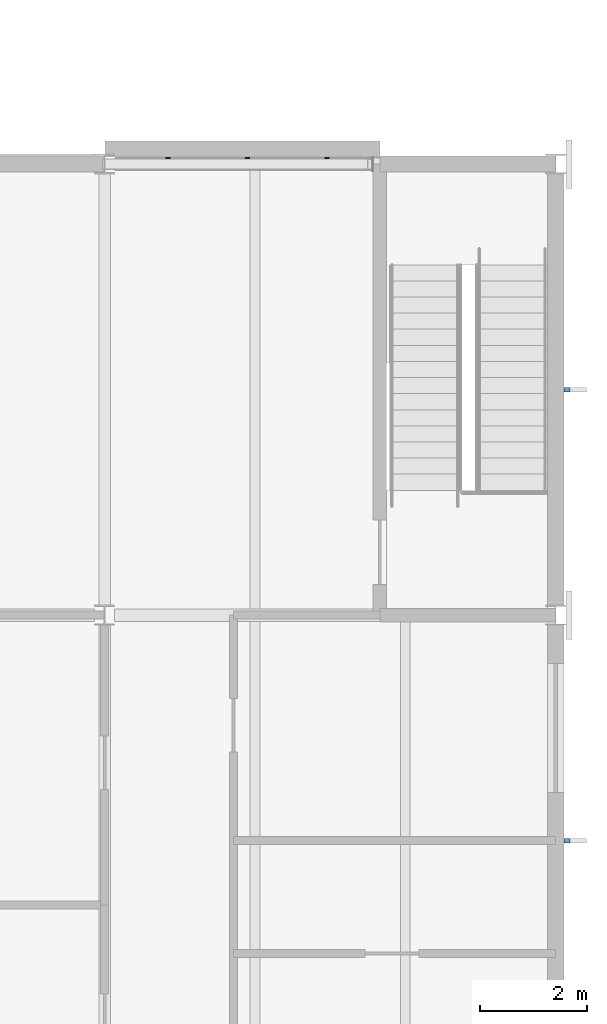
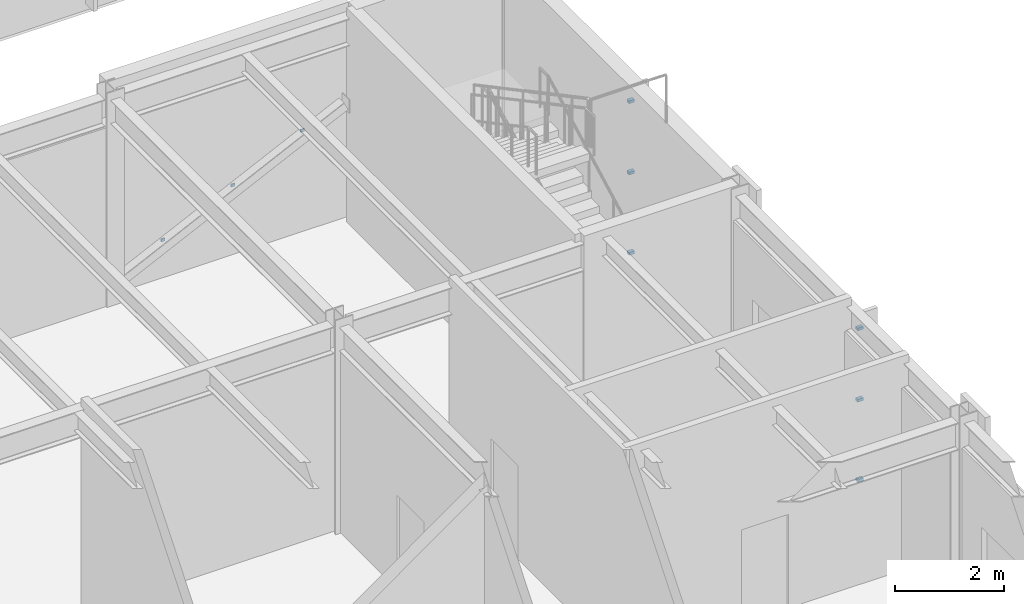
# One storey, part 103 of 127: 9 discrete accessories.
"""IFC4 building model written with IfcOpenShell, lengths in metres."""

from ifc_helpers import new_model, si_unit, direction, frame, origin, origin_2d, place, context, subcontext, project, spatial, rectangle, extrude, material, type_object, element, save


model = new_model("IFC4")

# Units and contexts
model_context = context("Model", 3, precision=1e-05, world=origin(), true_north=direction((0.0, 1.0)))
body_context = subcontext(model_context, "Body", "Model", "MODEL_VIEW")
ifc_project = project(units=[si_unit("LENGTHUNIT", "METRE"), si_unit("AREAUNIT", "SQUARE_METRE"), si_unit("VOLUMEUNIT", "CUBIC_METRE"), si_unit("PLANEANGLEUNIT", "RADIAN"), si_unit("MASSUNIT", "GRAM", prefix="KILO")], contexts=[model_context])

# Site, building, storey
site_placement = place(None, origin())
site = spatial("IfcSite", under=ifc_project, at=site_placement, CompositionType="ELEMENT")
building_placement = place(site_placement, origin())
building = spatial("IfcBuilding", under=site, at=building_placement, Name="Ljudholm Concert House", CompositionType="ELEMENT")
storey_placement = place(building_placement, frame((0.0, 0.0, 5.39990234375)))
storey = spatial("IfcBuildingStorey", under=building, at=storey_placement, Name="L01", CompositionType="ELEMENT", Elevation=5.39990234375)

# Discrete accessories
ifc_material_1 = material(Name="Stainless steel bracket", Category="steel")
discrete_accessory_type_1 = type_object("IfcDiscreteAccessoryType", Name="BRACKET 120", PredefinedType="BRACKET", material=ifc_material_1)
for number, where, z_axis, x_axis, name in (
    (1, (121.81005859375, 83.800048828125, 0.570068359375), (0.0, 0.0, 1.0), (1.0, 0.0, 0.0), "Fin bracket"),
    (2, (121.81005859375, 83.800048828125, 2.3701171875), (0.0, 0.0, 1.0), (1.0, 0.0, 0.0), "Fin bracket"),
    (3, (121.81005859375, 83.800048828125, 3.969970703125), (0.0, 0.0, 1.0), (1.0, 0.0, 0.0), "Fin bracket"),
    (4, (121.81005859375, 92.199951171875, 0.570068359375), (0.0, 0.0, 1.0), (1.0, 0.0, 0.0), "Fin bracket"),
    (5, (121.81005859375, 92.199951171875, 2.3701171875), (0.0, 0.0, 1.0), (1.0, 0.0, 0.0), "Fin bracket"),
    (6, (121.81005859375, 92.199951171875, 3.969970703125), (0.0, 0.0, 1.0), (1.0, 0.0, 0.0), "Fin bracket"),
):
    element("IfcDiscreteAccessory", number, at=place(storey_placement, frame(where, z_axis=z_axis, x_axis=x_axis)), inside=storey, type_object=discrete_accessory_type_1, Name=name, PredefinedType="BRACKET", context=body_context, shape_type="SweptSolid", body=[
        extrude(rectangle(XDim=0.1201171875, YDim=0.080078125, at=origin_2d()), origin(), (0.0, 0.0, 1.0), 0.06005859375),
    ])
ifc_material_2 = material(Name="Stainless steel bracket", Category="steel")
discrete_accessory_type_2 = type_object("IfcDiscreteAccessoryType", Name="PANEL BRACKET EXTERNAL", PredefinedType="BRACKET", material=ifc_material_2)
for number, where, z_axis, x_axis, name in (
    (7, (114.376953125, 96.515625, 0.833251953125), (0.0, 0.0, 1.0), (0.0, 1.0, 0.0), "Panel bracket"),
    (8, (115.857421875, 96.515625, 1.5419921875), (0.0, 0.0, 1.0), (0.0, 1.0, 0.0), "Panel bracket"),
    (9, (117.337890625, 96.515625, 2.25048828125), (0.0, 0.0, 1.0), (0.0, 1.0, 0.0), "Panel bracket"),
):
    element("IfcDiscreteAccessory", number, at=place(storey_placement, frame(where, z_axis=z_axis, x_axis=x_axis)), inside=storey, type_object=discrete_accessory_type_2, Name=name, PredefinedType="BRACKET", context=body_context, shape_type="SweptSolid", body=[
        extrude(rectangle(XDim=0.028076171875, YDim=0.080078125, at=origin_2d()), origin(), (0.0, 0.0, 1.0), 0.06005859375),
    ])

save(model, "model.ifc")
